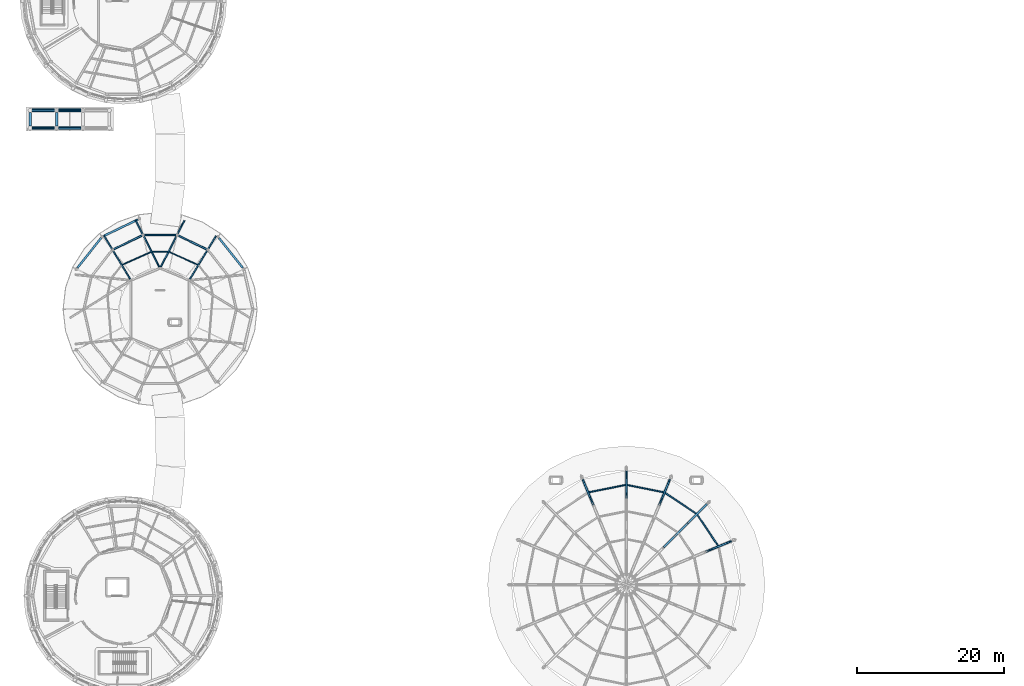
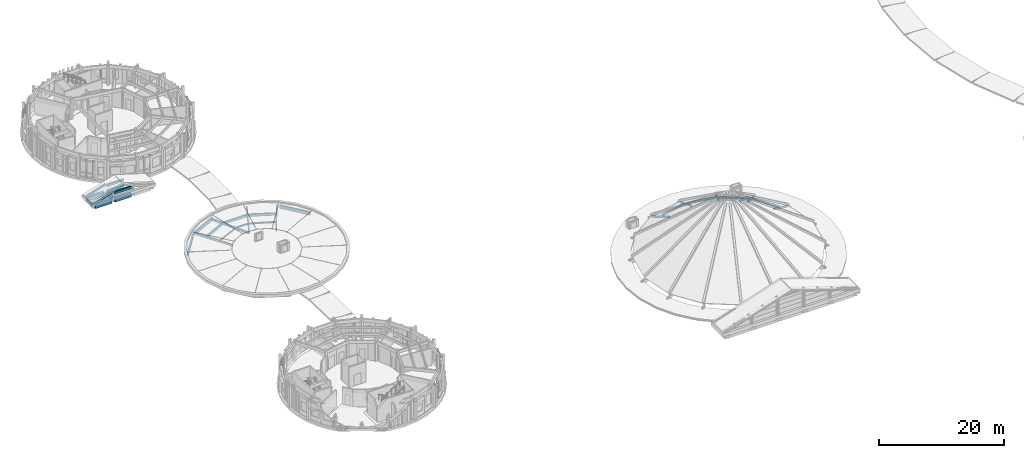
# One storey, part 12 of 58: 19 members, 14 beams.
"""IFC4 building model written with IfcOpenShell, lengths in metres."""

from ifc_helpers import new_model, si_unit, direction, frame, origin, origin_2d, place, context, subcontext, project, spatial, rectangle, extrude, material, material_profile, profile_set, type_object, element, save


model = new_model("IFC4")

# Units and contexts
model_context = context("Model", 3, precision=1e-05, world=origin(), true_north=direction((0.0, 1.0)))
body_context = subcontext(model_context, "Body", "Model", "MODEL_VIEW")
ifc_project = project(units=[si_unit("LENGTHUNIT", "METRE"), si_unit("AREAUNIT", "SQUARE_METRE"), si_unit("VOLUMEUNIT", "CUBIC_METRE"), si_unit("PLANEANGLEUNIT", "RADIAN"), si_unit("MASSUNIT", "GRAM", prefix="KILO")], contexts=[model_context])

# Site, building, storey
site_placement = place(None, origin())
site = spatial("IfcSite", under=ifc_project, at=site_placement, CompositionType="ELEMENT")
building_placement = place(site_placement, origin())
building = spatial("IfcBuilding", under=site, at=building_placement, Name="Aldenvaro Health Centre", CompositionType="ELEMENT")
storey_placement = place(building_placement, frame((0.0, 0.0, 8.75)))
storey = spatial("IfcBuildingStorey", under=building, at=storey_placement, Name="L02", CompositionType="ELEMENT", Elevation=8.75)

# Beams
ifc_material_1 = material(Name="Glulam GL28h", Category="wood")
ifc_material_profile_1 = material_profile(ifc_material_1, rectangle(XDim=0.215087890625, YDim=0.493896484375, at=origin_2d()), Name="GL 215x494", Category="wood")
ifc_profile_set_1 = profile_set([ifc_material_profile_1], Name="Glulam GL28h")
beam_type_1 = type_object("IfcBeamType", Name="BM-GL-494", PredefinedType="BEAM", material=ifc_profile_set_1)
beam_1_placement = place(storey_placement, frame((29.85302734375, 65.673095703125, 0.373046875), z_axis=(-0.901042243312, 0.43373134054, 0.0), x_axis=(-0.43373134054, -0.901042243312, 0.0)))
element("IfcBeam", 1, at=beam_1_placement, inside=storey, type_object=beam_type_1, Name="D3 Roof Eave Ring 03", PredefinedType="BEAM", context=body_context, shape_type="SweptSolid", body=[
    extrude(rectangle(XDim=0.215087890625, YDim=0.493896484375, at=origin_2d()), origin(), (0.0, 0.0, 1.0), 4.35498046875),
])
beam_2_placement = place(storey_placement, frame((25.677001953125, 67.6201171875, 0.373046875), z_axis=(-1.0, 0.0, 0.0), x_axis=(0.0, -1.0, 0.0)))
element("IfcBeam", 2, at=beam_2_placement, inside=storey, type_object=beam_type_1, Name="D3 Roof Eave Ring 04", PredefinedType="BEAM", context=body_context, shape_type="SweptSolid", body=[
    extrude(rectangle(XDim=0.215087890625, YDim=0.493896484375, at=origin_2d()), origin(), (0.0, 0.0, 1.0), 4.35400390625),
])
beam_3_placement = place(storey_placement, frame((21.071044921875, 67.56201171875, 0.373046875), z_axis=(-0.901042243312, -0.43373134054, 0.0), x_axis=(0.43373134054, -0.901042243312, 0.0)))
element("IfcBeam", 3, at=beam_3_placement, inside=storey, type_object=beam_type_1, Name="D3 Roof Eave Ring 05", PredefinedType="BEAM", context=body_context, shape_type="SweptSolid", body=[
    extrude(rectangle(XDim=0.215087890625, YDim=0.493896484375, at=origin_2d()), origin(), (0.0, 0.0, 1.0), 4.35498046875),
])
for number, where, z_axis, x_axis, name in (
    (4, (9.675048828125, 82.199951171875, 1.550048828125), (1.0, 0.0, 0.0), (0.0, 1.0, 0.0), "Bastion Portico N4 Pediment Collar 1"),
    (5, (9.675048828125, 84.60009765625, 1.550048828125), (1.0, 0.0, 0.0), (0.0, 1.0, 0.0), "Bastion Portico N4 Pediment Collar 2"),
):
    element("IfcBeam", number, at=place(storey_placement, frame(where, z_axis=z_axis, x_axis=x_axis)), inside=storey, type_object=beam_type_1, Name=name, PredefinedType="BEAM", context=body_context, shape_type="SweptSolid", body=[
        extrude(rectangle(XDim=0.215087890625, YDim=0.493896484375, at=origin_2d()), origin(), (0.0, 0.0, 1.0), 3.050048828125),
    ])
ifc_material_profile_2 = material_profile(ifc_material_1, rectangle(XDim=0.264892578125, YDim=0.64599609375, at=origin_2d()), Name="GL 265x646", Category="wood")
ifc_profile_set_2 = profile_set([ifc_material_profile_2], Name="Glulam GL28h")
beam_type_2 = type_object("IfcBeamType", Name="BM-GL-646", PredefinedType="SPANDREL", material=ifc_profile_set_2)
beam_4_placement = place(storey_placement, frame((34.760009765625, 63.160888671875, 0.297119140625), z_axis=(-0.623564197112, 0.781772148442, 0.0), x_axis=(-0.781772148442, -0.623564197112, 0.0)))
element("IfcBeam", 6, at=beam_4_placement, inside=storey, type_object=beam_type_2, Name="Garden Pavilion Peristyle Architrave 02", PredefinedType="SPANDREL", context=body_context, shape_type="SweptSolid", body=[
    extrude(rectangle(XDim=0.264892578125, YDim=0.64599609375, at=origin_2d()), origin(), (0.0, 0.0, 1.0), 5.189697265625),
])
beam_5_placement = place(storey_placement, frame((20.487060546875, 69.738037109375, 0.297119140625), z_axis=(-0.900887923887, -0.434051781007, 0.0), x_axis=(0.434051781007, -0.900887923887, 0.0)))
element("IfcBeam", 7, at=beam_5_placement, inside=storey, type_object=beam_type_2, Name="Garden Pavilion Peristyle Architrave 05", PredefinedType="SPANDREL", context=body_context, shape_type="SweptSolid", body=[
    extrude(rectangle(XDim=0.264892578125, YDim=0.64599609375, at=origin_2d()), origin(), (0.0, 0.0, 1.0), 5.1904296875),
])
beam_6_placement = place(storey_placement, frame((15.47607421875, 67.218017578125, 0.297119140625), z_axis=(-0.623564197112, -0.781772148442, 0.0), x_axis=(0.781772148442, -0.623564197112, 0.0)))
element("IfcBeam", 8, at=beam_6_placement, inside=storey, type_object=beam_type_2, Name="Garden Pavilion Peristyle Architrave 06", PredefinedType="SPANDREL", context=body_context, shape_type="SweptSolid", body=[
    extrude(rectangle(XDim=0.264892578125, YDim=0.64599609375, at=origin_2d()), origin(), (0.0, 0.0, 1.0), 5.189697265625),
])
ifc_material_2 = material(Name="Concrete f'c 40 MPa", Category="concrete")
ifc_material_profile_3 = material_profile(ifc_material_2, rectangle(XDim=0.35009765625, YDim=0.56005859375, at=origin_2d()), Name="RC 350x560", Category="concrete")
ifc_profile_set_3 = profile_set([ifc_material_profile_3], Name="Concrete f'c 40 MPa")
beam_type_3 = type_object("IfcBeamType", Name="BM-RC-560E", PredefinedType="JOIST", material=ifc_profile_set_3)
for number, where, z_axis, x_axis, name in (
    (9, (5.800048828125, 82.47509765625, 0.320068359375), (0.0, 1.0, 0.0), (-1.0, 0.0, 0.0), "Bastion Portico N4 Entablature Tie 1"),
    (10, (9.39990234375, 82.47509765625, 0.320068359375), (0.0, 1.0, 0.0), (-1.0, 0.0, 0.0), "Bastion Portico N4 Entablature Tie 2"),
):
    element("IfcBeam", number, at=place(storey_placement, frame(where, z_axis=z_axis, x_axis=x_axis)), inside=storey, type_object=beam_type_3, Name=name, PredefinedType="JOIST", context=body_context, shape_type="SweptSolid", body=[
        extrude(rectangle(XDim=0.35009765625, YDim=0.56005859375, at=origin_2d()), origin(), (0.0, 0.0, 1.0), 1.849853515625),
    ])
ifc_material_profile_4 = material_profile(ifc_material_2, rectangle(XDim=0.449951171875, YDim=0.800048828125, at=origin_2d()), Name="RC 450x800", Category="concrete")
ifc_profile_set_4 = profile_set([ifc_material_profile_4], Name="Concrete f'c 40 MPa")
beam_type_4 = type_object("IfcBeamType", Name="BM-RC-800", PredefinedType="SPANDREL", material=ifc_profile_set_4)
for number, where, z_axis, x_axis, name in (
    (11, (6.074951171875, 82.199951171875, 0.199951171875), (1.0, 0.0, 0.0), (0.0, 1.0, 0.0), "Bastion Portico N4 Classical Architrave 1.1"),
    (12, (6.074951171875, 84.60009765625, 0.199951171875), (1.0, 0.0, 0.0), (0.0, 1.0, 0.0), "Bastion Portico N4 Classical Architrave 1.2"),
    (13, (9.675048828125, 82.199951171875, 0.199951171875), (1.0, 0.0, 0.0), (0.0, 1.0, 0.0), "Bastion Portico N4 Classical Architrave 2.1"),
    (14, (9.675048828125, 84.60009765625, 0.199951171875), (1.0, 0.0, 0.0), (0.0, 1.0, 0.0), "Bastion Portico N4 Classical Architrave 2.2"),
):
    element("IfcBeam", number, at=place(storey_placement, frame(where, z_axis=z_axis, x_axis=x_axis)), inside=storey, type_object=beam_type_4, Name=name, PredefinedType="SPANDREL", context=body_context, shape_type="SweptSolid", body=[
        extrude(rectangle(XDim=0.449951171875, YDim=0.800048828125, at=origin_2d()), origin(), (0.0, 0.0, 1.0), 3.050048828125),
    ])

# Members
ifc_material_profile_5 = material_profile(ifc_material_1, rectangle(XDim=0.139892578125, YDim=0.280029296875, at=origin_2d()), Name="GL 140x280", Category="wood")
ifc_profile_set_5 = profile_set([ifc_material_profile_5], Name="Glulam GL28h")
member_type_1 = type_object("IfcMemberType", Name="MEM-PR-280", PredefinedType="PURLIN", material=ifc_profile_set_5)
member_1_placement = place(storey_placement, frame((28.615966796875, 63.5830078125, 0.47998046875), z_axis=(-0.912412020613, 0.409272897517, 0.0), x_axis=(-0.409272897517, -0.912412020613, 0.0)))
element("IfcMember", 15, at=member_1_placement, inside=storey, type_object=member_type_1, Name="D3 Roof Purlin 03", PredefinedType="PURLIN", context=body_context, shape_type="SweptSolid", body=[
    extrude(rectangle(XDim=0.139892578125, YDim=0.280029296875, at=origin_2d()), origin(), (0.0, 0.0, 1.0), 4.231689453125),
])
member_2_placement = place(storey_placement, frame((24.544921875, 65.360107421875, 0.47998046875), z_axis=(-1.0, 0.0, 0.0), x_axis=(0.0, -1.0, 0.0)))
element("IfcMember", 16, at=member_2_placement, inside=storey, type_object=member_type_1, Name="D3 Roof Purlin 04", PredefinedType="PURLIN", context=body_context, shape_type="SweptSolid", body=[
    extrude(rectangle(XDim=0.139892578125, YDim=0.280029296875, at=origin_2d()), origin(), (0.0, 0.0, 1.0), 2.08984375),
])
member_3_placement = place(storey_placement, frame((22.2451171875, 65.31494140625, 0.47998046875), z_axis=(-0.912412020613, -0.409272897517, 0.0), x_axis=(0.409272897517, -0.912412020613, 0.0)))
element("IfcMember", 17, at=member_3_placement, inside=storey, type_object=member_type_1, Name="D3 Roof Purlin 05", PredefinedType="PURLIN", context=body_context, shape_type="SweptSolid", body=[
    extrude(rectangle(XDim=0.139892578125, YDim=0.280029296875, at=origin_2d()), origin(), (0.0, 0.0, 1.0), 4.231689453125),
])
ifc_material_profile_6 = material_profile(ifc_material_1, rectangle(XDim=0.175048828125, YDim=0.35009765625, at=origin_2d()), Name="GL 175x350", Category="wood")
ifc_profile_set_6 = profile_set([ifc_material_profile_6], Name="Glulam GL28h")
member_type_2 = type_object("IfcMemberType", Name="MEM-PR-350", PredefinedType="PURLIN", material=ifc_profile_set_6)
for number, where, z_axis, x_axis, name in (
    (18, (99.487060546875, 25.320068359375, 1.89404296875), (-0.555350004785, 0.831616721925, 0.0), (-0.831616721925, -0.555350004785, 0.0), "Waiting Hall Roof Purlin 1.02"),
    (19, (96.5009765625, 29.695068359375, 1.89404296875), (-0.831616721925, 0.555350004785, 0.0), (-0.555350004785, -0.831616721925, 0.0), "Waiting Hall Roof Purlin 1.03"),
):
    element("IfcMember", number, at=place(storey_placement, frame(where, z_axis=z_axis, x_axis=x_axis)), inside=storey, type_object=member_type_2, Name=name, PredefinedType="PURLIN", context=body_context, shape_type="SweptSolid", body=[
        extrude(rectangle(XDim=0.175048828125, YDim=0.35009765625, at=origin_2d()), origin(), (0.0, 0.0, 1.0), 5.02734375),
    ])
for number, where, z_axis, x_axis, name in (
    (20, (92.06689453125, 32.592041015625, 1.89404296875), (-0.980772615397, 0.195153982502, 0.0), (-0.195153982502, -0.980772615397, 0.0), "Waiting Hall Roof Purlin 1.04"),
    (21, (86.863037109375, 33.572998046875, 1.89404296875), (-0.980772615397, -0.195153982502, 0.0), (0.195153982502, -0.980772615397, 0.0), "Waiting Hall Roof Purlin 1.05"),
):
    element("IfcMember", number, at=place(storey_placement, frame(where, z_axis=z_axis, x_axis=x_axis)), inside=storey, type_object=member_type_2, Name=name, PredefinedType="PURLIN", context=body_context, shape_type="SweptSolid", body=[
        extrude(rectangle(XDim=0.175048828125, YDim=0.35009765625, at=origin_2d()), origin(), (0.0, 0.0, 1.0), 5.026611328125),
    ])
ifc_material_profile_7 = material_profile(ifc_material_1, rectangle(XDim=0.18994140625, YDim=0.41796875, at=origin_2d()), Name="GL 190x418", Category="wood")
ifc_profile_set_7 = profile_set([ifc_material_profile_7], Name="Glulam GL28h")
member_type_3 = type_object("IfcMemberType", Name="MEM-RF-418", PredefinedType="RAFTER", material=ifc_profile_set_7)
member_4_placement = place(storey_placement, frame((31.110107421875, 67.498046875, 0.410888671875), z_axis=(-0.517400100416, -0.855743615863, 0.0), x_axis=(0.855743615863, -0.517400100416, 0.0)))
element("IfcMember", 22, at=member_4_placement, inside=storey, type_object=member_type_3, Name="D3 Radial Overhang Rafter 03", PredefinedType="RAFTER", context=body_context, shape_type="SweptSolid", body=[
    extrude(rectangle(XDim=0.18994140625, YDim=0.41796875, at=origin_2d()), origin(), (0.0, 0.0, 1.0), 6.91552734375),
])
for number, where, z_axis, x_axis, name in (
    (23, (26.81103515625, 69.5791015625, 0.410888671875), (-0.455051980613, -0.890464875747, 0.0), (0.890464875747, -0.455051980613, 0.0), "D3 Radial Overhang Rafter 04"),
    (24, (20.18896484375, 69.5791015625, 0.410888671875), (0.455051980613, -0.890464875747, 0.0), (0.890464875747, 0.455051980613, 0.0), "D3 Radial Overhang Rafter 05"),
):
    element("IfcMember", number, at=place(storey_placement, frame(where, z_axis=z_axis, x_axis=x_axis)), inside=storey, type_object=member_type_3, Name=name, PredefinedType="RAFTER", context=body_context, shape_type="SweptSolid", body=[
        extrude(rectangle(XDim=0.18994140625, YDim=0.41796875, at=origin_2d()), origin(), (0.0, 0.0, 1.0), 7.135498046875),
    ])
member_5_placement = place(storey_placement, frame((15.889892578125, 67.498046875, 0.410888671875), z_axis=(0.517400100416, -0.855743615863, 0.0), x_axis=(0.855743615863, 0.517400100416, 0.0)))
element("IfcMember", 25, at=member_5_placement, inside=storey, type_object=member_type_3, Name="D3 Radial Overhang Rafter 06", PredefinedType="RAFTER", context=body_context, shape_type="SweptSolid", body=[
    extrude(rectangle(XDim=0.18994140625, YDim=0.41796875, at=origin_2d()), origin(), (0.0, 0.0, 1.0), 6.91552734375),
])
for number, where, z_axis, x_axis, name in (
    (26, (5.800048828125, 82.199951171875, 0.68994140625), (0.954844529678, 0.0, 0.297105914016), (0.0, 1.0, 0.0), "Bastion Portico N4 West Rafter 1"),
    (27, (5.800048828125, 84.60009765625, 0.68994140625), (0.954844529678, 0.0, 0.297105914016), (0.0, 1.0, 0.0), "Bastion Portico N4 West Rafter 2"),
):
    element("IfcMember", number, at=place(storey_placement, frame(where, z_axis=z_axis, x_axis=x_axis)), inside=storey, type_object=member_type_3, Name=name, PredefinedType="RAFTER", context=body_context, shape_type="SweptSolid", body=[
        extrude(rectangle(XDim=0.18994140625, YDim=0.41796875, at=origin_2d()), origin(), (0.0, 0.0, 1.0), 3.77001953125),
    ])
ifc_material_profile_8 = material_profile(ifc_material_1, rectangle(XDim=0.215087890625, YDim=0.342041015625, at=origin_2d()), Name="GL 215x342", Category="wood")
ifc_profile_set_8 = profile_set([ifc_material_profile_8], Name="Glulam GL28h")
member_type_4 = type_object("IfcMemberType", Name="MEM-WD-342", PredefinedType="USERDEFINED", material=ifc_profile_set_8)
member_6_placement = place(storey_placement, frame((101.2548828125, 25.905029296875, 0.98388671875), z_axis=(-0.853261818914, -0.353610187179, 0.383280711629), x_axis=(0.382847523166, -0.923811546802, 0.0)))
element("IfcMember", 28, at=member_6_placement, inside=storey, type_object=member_type_4, Name="Waiting Hall Roof Truss 02 Web Diagonal 1", ObjectType="DIAGONAL", PredefinedType="USERDEFINED", context=body_context, shape_type="SweptSolid", body=[
    extrude(rectangle(XDim=0.215087890625, YDim=0.342041015625, at=origin_2d()), origin(), (0.0, 0.0, 1.0), 3.908447265625),
])
member_7_placement = place(storey_placement, frame((97.910888671875, 30.910888671875, 0.98388671875), z_axis=(-0.653118486986, -0.653118486986, 0.38323946028), x_axis=(0.707106781187, -0.707106781187, 0.0)))
element("IfcMember", 29, at=member_7_placement, inside=storey, type_object=member_type_4, Name="Waiting Hall Roof Truss 03 Web Diagonal 1", ObjectType="DIAGONAL", PredefinedType="USERDEFINED", context=body_context, shape_type="SweptSolid", body=[
    extrude(rectangle(XDim=0.215087890625, YDim=0.342041015625, at=origin_2d()), origin(), (0.0, 0.0, 1.0), 3.908935546875),
])
member_8_placement = place(storey_placement, frame((95.35791015625, 28.35791015625, 3.342041015625), z_axis=(-0.625769629693, -0.625769629693, 0.465644436354), x_axis=(0.707106781187, -0.707106781187, 0.0)))
element("IfcMember", 30, at=member_8_placement, inside=storey, type_object=member_type_4, Name="Waiting Hall Roof Truss 03 Web Diagonal 2", ObjectType="DIAGONAL", PredefinedType="USERDEFINED", context=body_context, shape_type="SweptSolid", body=[
    extrude(rectangle(XDim=0.215087890625, YDim=0.342041015625, at=origin_2d()), origin(), (0.0, 0.0, 1.0), 5.220458984375),
])
for number, where, z_axis, x_axis, name in (
    (31, (92.905029296875, 34.2548828125, 0.98388671875), (-0.353610187179, -0.853261818914, 0.383280711629), (0.923811546802, -0.382847523166, 0.0), "Waiting Hall Roof Truss 04 Web Diagonal 1"),
    (32, (87.0, 35.429931640625, 0.98388671875), (0.0, -0.923626715127, 0.383293218181), (1.0, 0.0, 0.0), "Waiting Hall Roof Truss 05 Web Diagonal 1"),
    (33, (81.094970703125, 34.2548828125, 0.98388671875), (0.353610187179, -0.853261818914, 0.383280711629), (0.923811546802, 0.382847523166, 0.0), "Waiting Hall Roof Truss 06 Web Diagonal 1"),
):
    element("IfcMember", number, at=place(storey_placement, frame(where, z_axis=z_axis, x_axis=x_axis)), inside=storey, type_object=member_type_4, Name=name, ObjectType="DIAGONAL", PredefinedType="USERDEFINED", context=body_context, shape_type="SweptSolid", body=[
        extrude(rectangle(XDim=0.215087890625, YDim=0.342041015625, at=origin_2d()), origin(), (0.0, 0.0, 1.0), 3.908447265625),
    ])

save(model, "model.ifc")
